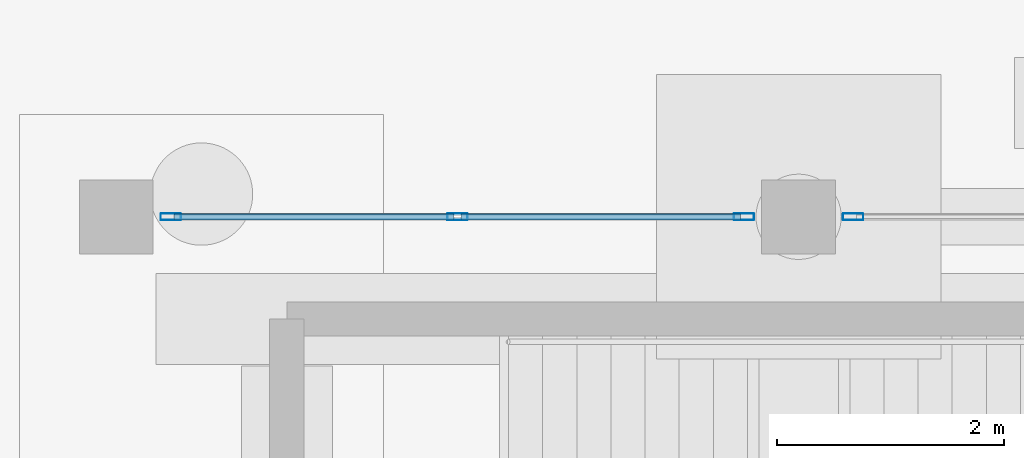
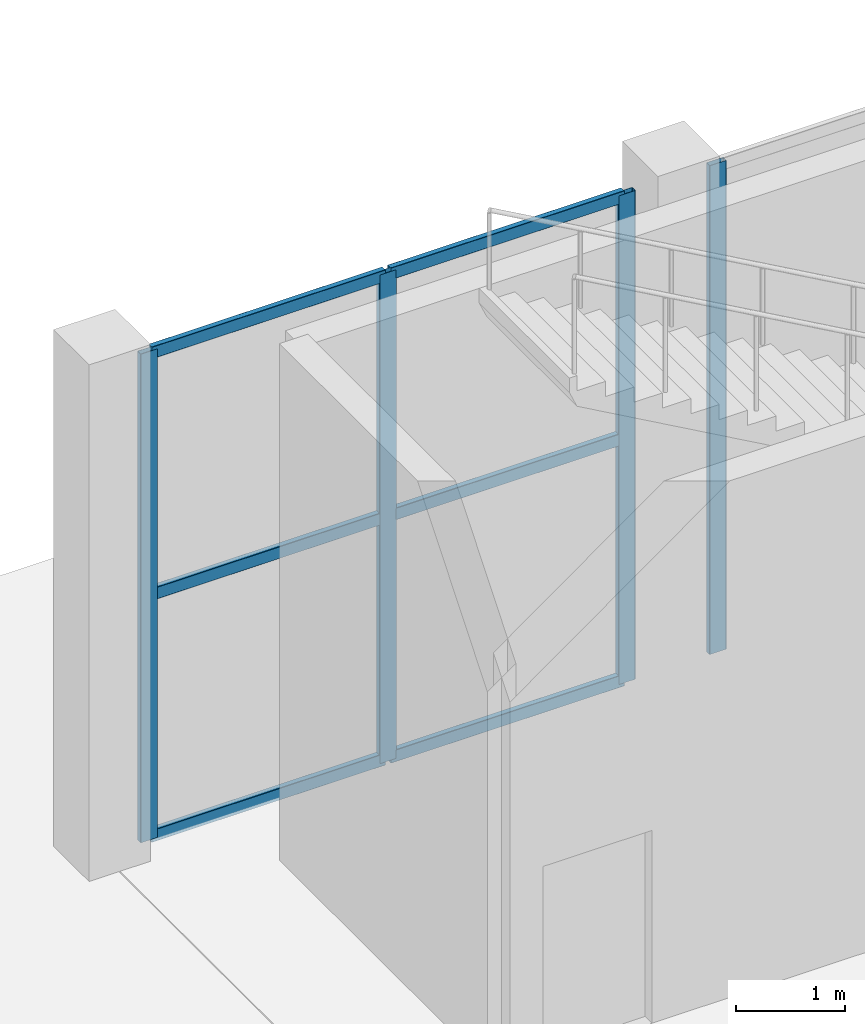
# One storey, part 60 of 103: 10 members, 2 elements without a shape of their own.
"""IFC4 building model written with IfcOpenShell, lengths in metres."""

from ifc_helpers import new_model, si_unit, direction, frame, origin, origin_2d, place, context, subcontext, project, spatial, hollow_rectangle, extrude, material, layer, layer_set, material_profile, profile_set, type_object, element, aggregate, save


model = new_model("IFC4")

# Units and contexts
model_context = context("Model", 3, precision=1e-05, world=origin(), true_north=direction((0.0, 1.0)))
body_context = subcontext(model_context, "Body", "Model", "MODEL_VIEW")
ifc_project = project(units=[si_unit("LENGTHUNIT", "METRE"), si_unit("AREAUNIT", "SQUARE_METRE"), si_unit("VOLUMEUNIT", "CUBIC_METRE"), si_unit("PLANEANGLEUNIT", "RADIAN"), si_unit("MASSUNIT", "GRAM", prefix="KILO")], contexts=[model_context])

# Site, building, storey
site_placement = place(None, origin())
site = spatial("IfcSite", under=ifc_project, at=site_placement, CompositionType="ELEMENT")
building_placement = place(site_placement, origin())
building = spatial("IfcBuilding", under=site, at=building_placement, Name="Dunvalen Ferry Terminal", CompositionType="ELEMENT")
storey_placement = place(building_placement, origin())
storey = spatial("IfcBuildingStorey", under=building, at=storey_placement, Name="L00", CompositionType="ELEMENT", Elevation=0.0)

# Curtain wall, members
ifc_material_1 = material(Name="Anodised marine aluminium and solar-control glazing", Category="aluminium")
ifc_layer = layer(ifc_material_1, 0.159912109375, Name="Anodised marine aluminium and solar-control glazing")
ifc_layer_set = layer_set([ifc_layer], Name="Anodised marine aluminium and solar-control glazing")
curtain_wall_type = type_object("IfcCurtainWallType", Name="ENV-CW-SYS-09", PredefinedType="NOTDEFINED", material=ifc_layer_set)
curtain_wall_1_placement = place(storey_placement, origin())
curtain_wall_1 = element("IfcCurtainWall", 1, at=curtain_wall_1_placement, inside=storey, type_object=curtain_wall_type, Name="L00 Curtain Wall CW-BRT2-N-L00-1", PredefinedType="NOTDEFINED")
ifc_material_2 = material(Name="Anodised marine aluminium EN AW-6063 T6", Category="aluminium")
ifc_material_profile_1 = material_profile(ifc_material_2, hollow_rectangle(XDim=0.06005859375, YDim=0.179931640625, WallThickness=0.00341796875, InnerFilletRadius=0.00341796875, OuterFilletRadius=0.007080078125, at=origin_2d()), Name="Anodised marine aluminium EN AW-6063 T6")
ifc_profile_set_1 = profile_set([ifc_material_profile_1], Name="Anodised marine aluminium EN AW-6063 T6")
member_type_1 = type_object("IfcMemberType", Name="ENV-CW-MUL-2", PredefinedType="MULLION", material=ifc_profile_set_1)
member_1_placement = place(storey_placement, frame((120.47998046875, 115.199951171875, 0.0), z_axis=(0.0, 0.0, 1.0), x_axis=(0.0, 1.0, 0.0)))
member_1 = element("IfcMember", 2, at=member_1_placement, type_object=member_type_1, Name="CW-09 mullion 1", PredefinedType="MULLION", context=body_context, shape_type="SweptSolid", body=[
    extrude(hollow_rectangle(XDim=0.06005859375, YDim=0.179931640625, WallThickness=0.00341796875, InnerFilletRadius=0.00341796875, OuterFilletRadius=0.007080078125, at=origin_2d()), origin(), (0.0, 0.0, 1.0), 5.449951171875),
])
member_2_placement = place(storey_placement, frame((123.0, 115.199951171875, 0.0), z_axis=(0.0, 0.0, 1.0), x_axis=(0.0, 1.0, 0.0)))
member_2 = element("IfcMember", 3, at=member_2_placement, type_object=member_type_1, Name="CW-09 mullion 2", PredefinedType="MULLION", context=body_context, shape_type="SweptSolid", body=[
    extrude(hollow_rectangle(XDim=0.06005859375, YDim=0.179931640625, WallThickness=0.00341796875, InnerFilletRadius=0.00341796875, OuterFilletRadius=0.007080078125, at=origin_2d()), origin(), (0.0, 0.0, 1.0), 5.449951171875),
])
member_3_placement = place(storey_placement, frame((125.52001953125, 115.199951171875, 0.0), z_axis=(0.0, 0.0, 1.0), x_axis=(0.0, 1.0, 0.0)))
member_3 = element("IfcMember", 4, at=member_3_placement, type_object=member_type_1, Name="CW-09 mullion 3", PredefinedType="MULLION", context=body_context, shape_type="SweptSolid", body=[
    extrude(hollow_rectangle(XDim=0.06005859375, YDim=0.179931640625, WallThickness=0.00341796875, InnerFilletRadius=0.00341796875, OuterFilletRadius=0.007080078125, at=origin_2d()), origin(), (0.0, 0.0, 1.0), 5.449951171875),
])

# Curtain wall, member
curtain_wall_2_placement = place(storey_placement, origin())
curtain_wall_2 = element("IfcCurtainWall", 5, at=curtain_wall_2_placement, inside=storey, type_object=curtain_wall_type, Name="L00 Curtain Wall CW-BRT2-N-L00-2", PredefinedType="NOTDEFINED")
member_4_placement = place(storey_placement, frame((126.47998046875, 115.199951171875, 0.0), z_axis=(0.0, 0.0, 1.0), x_axis=(0.0, 1.0, 0.0)))
member_4 = element("IfcMember", 6, at=member_4_placement, type_object=member_type_1, Name="CW-09 mullion 1", PredefinedType="MULLION", context=body_context, shape_type="SweptSolid", body=[
    extrude(hollow_rectangle(XDim=0.06005859375, YDim=0.179931640625, WallThickness=0.00341796875, InnerFilletRadius=0.00341796875, OuterFilletRadius=0.007080078125, at=origin_2d()), origin(), (0.0, 0.0, 1.0), 5.449951171875),
])
aggregate(curtain_wall_2, [member_4])

# Member
ifc_material_profile_2 = material_profile(ifc_material_2, hollow_rectangle(XDim=0.06005859375, YDim=0.135009765625, WallThickness=0.003173828125, InnerFilletRadius=0.003173828125, OuterFilletRadius=0.00634765625, at=origin_2d()), Name="Anodised marine aluminium EN AW-6063 T6")
ifc_profile_set_2 = profile_set([ifc_material_profile_2], Name="Anodised marine aluminium EN AW-6063 T6")
member_type_2 = type_object("IfcMemberType", Name="ENV-CW-TRN-2", PredefinedType="USERDEFINED", material=ifc_profile_set_2)
member_5_placement = place(storey_placement, frame((120.510009765625, 115.199951171875, 0.030029296875), z_axis=(1.0, 0.0, 0.0), x_axis=(0.0, 1.0, 0.0)))
member_5 = element("IfcMember", 7, at=member_5_placement, type_object=member_type_2, Name="CW-09 transom 1.1", ObjectType="TRANSOM", PredefinedType="USERDEFINED", context=body_context, shape_type="SweptSolid", body=[
    extrude(hollow_rectangle(XDim=0.06005859375, YDim=0.135009765625, WallThickness=0.003173828125, InnerFilletRadius=0.003173828125, OuterFilletRadius=0.00634765625, at=origin_2d()), origin(), (0.0, 0.0, 1.0), 2.4599609375),
])

member_6_placement = place(storey_placement, frame((120.510009765625, 115.199951171875, 2.72509765625), z_axis=(1.0, 0.0, 0.0), x_axis=(0.0, 1.0, 0.0)))
member_6 = element("IfcMember", 8, at=member_6_placement, type_object=member_type_2, Name="CW-09 transom 1.2", ObjectType="TRANSOM", PredefinedType="USERDEFINED", context=body_context, shape_type="SweptSolid", body=[
    extrude(hollow_rectangle(XDim=0.06005859375, YDim=0.135009765625, WallThickness=0.003173828125, InnerFilletRadius=0.003173828125, OuterFilletRadius=0.00634765625, at=origin_2d()), origin(), (0.0, 0.0, 1.0), 2.4599609375),
])

member_7_placement = place(storey_placement, frame((120.510009765625, 115.199951171875, 5.419921875), z_axis=(1.0, 0.0, 0.0), x_axis=(0.0, 1.0, 0.0)))
member_7 = element("IfcMember", 9, at=member_7_placement, type_object=member_type_2, Name="CW-09 transom 1.3", ObjectType="TRANSOM", PredefinedType="USERDEFINED", context=body_context, shape_type="SweptSolid", body=[
    extrude(hollow_rectangle(XDim=0.06005859375, YDim=0.135009765625, WallThickness=0.003173828125, InnerFilletRadius=0.003173828125, OuterFilletRadius=0.00634765625, at=origin_2d()), origin(), (0.0, 0.0, 1.0), 2.4599609375),
])

member_8_placement = place(storey_placement, frame((123.030029296875, 115.199951171875, 0.030029296875), z_axis=(1.0, 0.0, 0.0), x_axis=(0.0, 1.0, 0.0)))
member_8 = element("IfcMember", 10, at=member_8_placement, type_object=member_type_2, Name="CW-09 transom 2.1", ObjectType="TRANSOM", PredefinedType="USERDEFINED", context=body_context, shape_type="SweptSolid", body=[
    extrude(hollow_rectangle(XDim=0.06005859375, YDim=0.135009765625, WallThickness=0.003173828125, InnerFilletRadius=0.003173828125, OuterFilletRadius=0.00634765625, at=origin_2d()), origin(), (0.0, 0.0, 1.0), 2.4599609375),
])

member_9_placement = place(storey_placement, frame((123.030029296875, 115.199951171875, 2.72509765625), z_axis=(1.0, 0.0, 0.0), x_axis=(0.0, 1.0, 0.0)))
member_9 = element("IfcMember", 11, at=member_9_placement, type_object=member_type_2, Name="CW-09 transom 2.2", ObjectType="TRANSOM", PredefinedType="USERDEFINED", context=body_context, shape_type="SweptSolid", body=[
    extrude(hollow_rectangle(XDim=0.06005859375, YDim=0.135009765625, WallThickness=0.003173828125, InnerFilletRadius=0.003173828125, OuterFilletRadius=0.00634765625, at=origin_2d()), origin(), (0.0, 0.0, 1.0), 2.4599609375),
])

member_10_placement = place(storey_placement, frame((123.030029296875, 115.199951171875, 5.419921875), z_axis=(1.0, 0.0, 0.0), x_axis=(0.0, 1.0, 0.0)))
member_10 = element("IfcMember", 12, at=member_10_placement, type_object=member_type_2, Name="CW-09 transom 2.3", ObjectType="TRANSOM", PredefinedType="USERDEFINED", context=body_context, shape_type="SweptSolid", body=[
    extrude(hollow_rectangle(XDim=0.06005859375, YDim=0.135009765625, WallThickness=0.003173828125, InnerFilletRadius=0.003173828125, OuterFilletRadius=0.00634765625, at=origin_2d()), origin(), (0.0, 0.0, 1.0), 2.4599609375),
])

aggregate(curtain_wall_1, [member_1, member_2, member_3, member_5, member_6, member_7, member_8, member_9, member_10])

save(model, "model.ifc")
